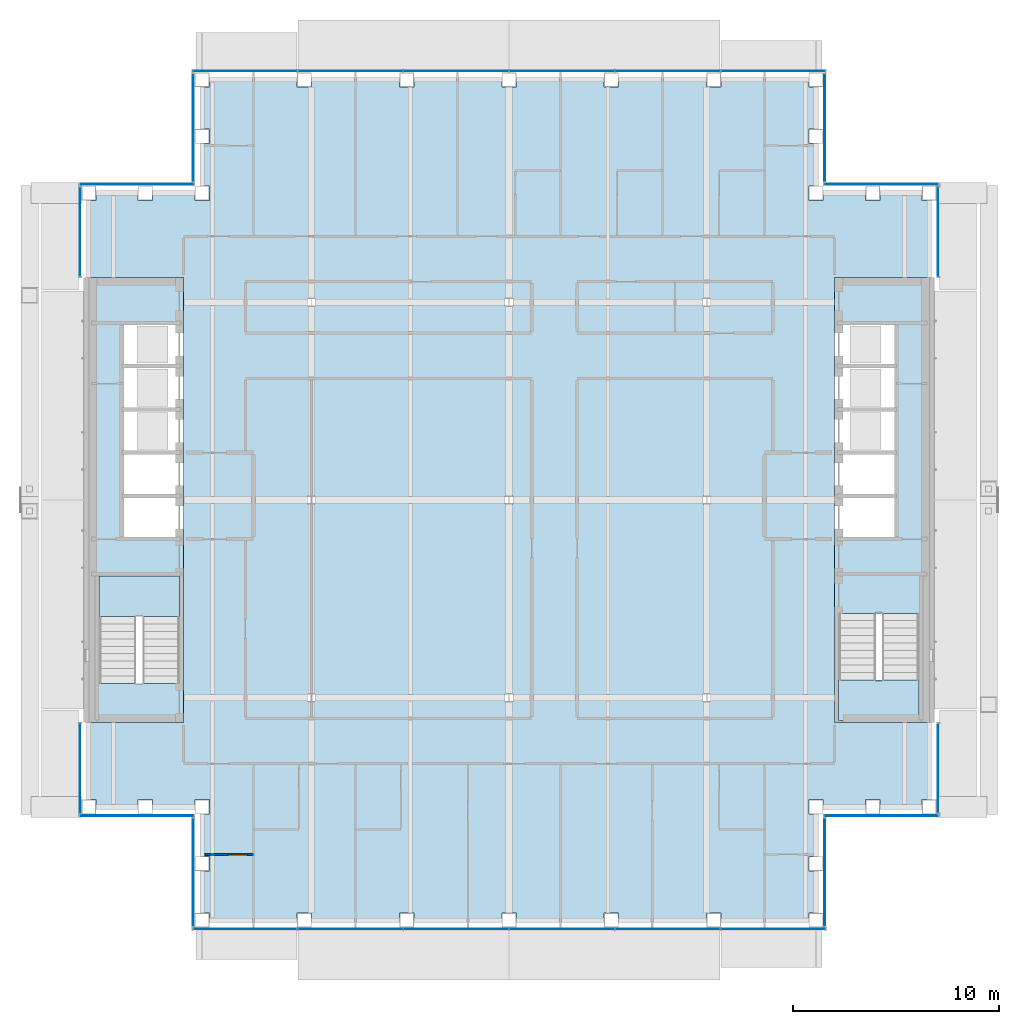
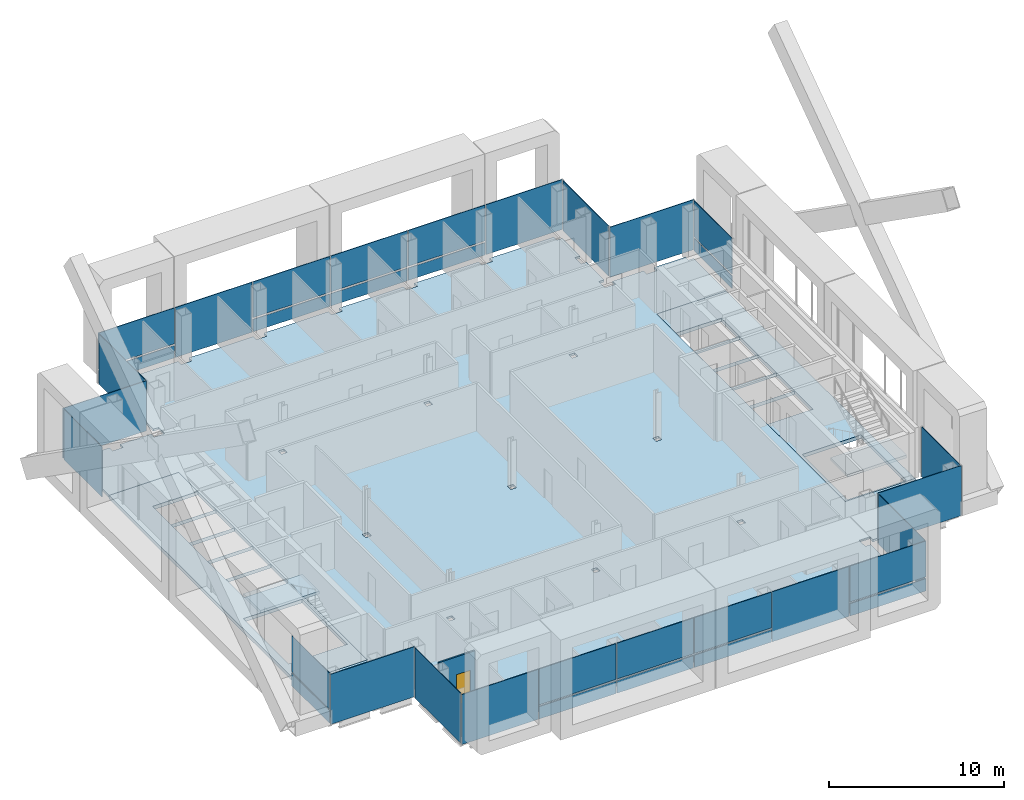
# One storey, part 10 of 21: 34 plates, 5 slabs, 1 door, 1 wall, 1 opening, 16 elements without a shape of their own.
"""IFC4 building model written with IfcOpenShell, lengths in metres."""

from ifc_helpers import new_model, si_unit, direction, frame, frame_2d, origin, origin_2d, place, context, subcontext, project, spatial, polyline, rectangle, outline, extrude, material, layer, layer_set, type_object, element, fill, aggregate, save


model = new_model("IFC4")

# Units and contexts
model_context = context("Model", 3, precision=1e-05, world=origin(), true_north=direction((0.0, 1.0)))
body_context = subcontext(model_context, "Body", "Model", "MODEL_VIEW")
ifc_project = project(units=[si_unit("LENGTHUNIT", "METRE"), si_unit("AREAUNIT", "SQUARE_METRE"), si_unit("VOLUMEUNIT", "CUBIC_METRE"), si_unit("PLANEANGLEUNIT", "RADIAN"), si_unit("MASSUNIT", "GRAM", prefix="KILO")], contexts=[model_context])

# Site, building, storey
site_placement = place(None, origin())
site = spatial("IfcSite", under=ifc_project, at=site_placement, CompositionType="ELEMENT")
building_placement = place(site_placement, origin())
building = spatial("IfcBuilding", under=site, at=building_placement, Name="Cobrizo Arcos Hotel Tower", CompositionType="ELEMENT")
storey_placement = place(building_placement, frame((0.0, 0.0, 212.0)))
storey = spatial("IfcBuildingStorey", under=building, at=storey_placement, Name="L55", CompositionType="ELEMENT", Elevation=212.0)

# Curtain wall, plates
ifc_material_1 = material(Name="Aluminium 6063-T6 anodised bronze", Category="aluminium")
curtain_wall_type = type_object("IfcCurtainWallType", Name="CW-A guest facade", PredefinedType="NOTDEFINED", material=ifc_material_1)
curtain_wall_1_placement = place(storey_placement, origin())
curtain_wall_1 = element("IfcCurtainWall", 1, at=curtain_wall_1_placement, inside=storey, type_object=curtain_wall_type, Name="CW-A L55 S face", PredefinedType="NOTDEFINED")
ifc_material_2 = material(Name="Glass clear laminated low-e", Category="glass")
ifc_layer_1 = layer(ifc_material_2, 0.0400390625)
ifc_layer_set_1 = layer_set([ifc_layer_1], Name="CW-A glass panel")
plate_type_1 = type_object("IfcPlateType", Name="CW-A glass panel", PredefinedType="CURTAIN_PANEL", material=ifc_layer_set_1)
plate_1_placement = place(storey_placement, frame((-7.699951171875, -20.824951171875, 0.990234375), z_axis=(0.0, 0.0, 1.0), x_axis=(1.0, 0.0, 0.0)))
plate_1 = element("IfcPlate", 2, at=plate_1_placement, type_object=plate_type_1, Name="CW-A glass panel 1841", PredefinedType="CURTAIN_PANEL", context=body_context, shape_type="SweptSolid", body=[
    extrude(rectangle(XDim=5.0732421875, YDim=0.0400390625, at=origin_2d()), origin(), (0.0, 0.0, 1.0), 2.510009765625),
])
plate_2_placement = place(storey_placement, frame((-2.566650390625, -20.824951171875, 0.990234375), z_axis=(0.0, 0.0, 1.0), x_axis=(1.0, 0.0, 0.0)))
plate_2 = element("IfcPlate", 3, at=plate_2_placement, type_object=plate_type_1, Name="CW-A glass panel 1842", PredefinedType="CURTAIN_PANEL", context=body_context, shape_type="SweptSolid", body=[
    extrude(rectangle(XDim=5.0732421875, YDim=0.0400390625, at=origin_2d()), origin(), (0.0, 0.0, 1.0), 2.510009765625),
])
plate_3_placement = place(storey_placement, frame((2.566650390625, -20.824951171875, 0.990234375), z_axis=(0.0, 0.0, 1.0), x_axis=(1.0, 0.0, 0.0)))
plate_3 = element("IfcPlate", 4, at=plate_3_placement, type_object=plate_type_1, Name="CW-A glass panel 1843", PredefinedType="CURTAIN_PANEL", context=body_context, shape_type="SweptSolid", body=[
    extrude(rectangle(XDim=5.0732421875, YDim=0.0400390625, at=origin_2d()), origin(), (0.0, 0.0, 1.0), 2.510009765625),
])
plate_4_placement = place(storey_placement, frame((12.818359375, -20.824951171875, 0.990234375), z_axis=(0.0, 0.0, 1.0), x_axis=(1.0, 0.0, 0.0)))
plate_4 = element("IfcPlate", 5, at=plate_4_placement, type_object=plate_type_1, Name="CW-A glass panel 1845", PredefinedType="CURTAIN_PANEL", context=body_context, shape_type="SweptSolid", body=[
    extrude(rectangle(XDim=5.043212890625, YDim=0.0400390625, at=origin_2d()), origin(), (0.0, 0.0, 1.0), 2.510009765625),
])

# Curtain wall, plate
curtain_wall_2_placement = place(storey_placement, origin())
curtain_wall_2 = element("IfcCurtainWall", 6, at=curtain_wall_2_placement, inside=storey, type_object=curtain_wall_type, Name="CW-A L55 E face", PredefinedType="NOTDEFINED")
plate_5_placement = place(storey_placement, frame((20.824951171875, 13.02490234375, 0.990234375), z_axis=(0.0, 0.0, 1.0), x_axis=(0.0, 1.0, 0.0)))
plate_5 = element("IfcPlate", 7, at=plate_5_placement, type_object=plate_type_1, Name="CW-A glass panel 1849", PredefinedType="CURTAIN_PANEL", context=body_context, shape_type="SweptSolid", body=[
    extrude(rectangle(XDim=4.330078125, YDim=0.0400390625, at=origin_2d()), origin(), (0.0, 0.0, 1.0), 2.510009765625),
])

# Curtain wall, plates
curtain_wall_3_placement = place(storey_placement, origin())
curtain_wall_3 = element("IfcCurtainWall", 8, at=curtain_wall_3_placement, inside=storey, type_object=curtain_wall_type, Name="CW-A L55 N face", PredefinedType="NOTDEFINED")
plate_6_placement = place(storey_placement, frame((7.699951171875, 20.824951171875, 0.990234375), z_axis=(0.0, 0.0, 1.0), x_axis=(-1.0, 0.0, 0.0)))
plate_6 = element("IfcPlate", 9, at=plate_6_placement, type_object=plate_type_1, Name="CW-A glass panel 1853", PredefinedType="CURTAIN_PANEL", context=body_context, shape_type="SweptSolid", body=[
    extrude(rectangle(XDim=5.0732421875, YDim=0.0400390625, at=origin_2d()), origin(), (0.0, 0.0, 1.0), 2.510009765625),
])
plate_7_placement = place(storey_placement, frame((2.566650390625, 20.824951171875, 0.990234375), z_axis=(0.0, 0.0, 1.0), x_axis=(-1.0, 0.0, 0.0)))
plate_7 = element("IfcPlate", 10, at=plate_7_placement, type_object=plate_type_1, Name="CW-A glass panel 1854", PredefinedType="CURTAIN_PANEL", context=body_context, shape_type="SweptSolid", body=[
    extrude(rectangle(XDim=5.0732421875, YDim=0.0400390625, at=origin_2d()), origin(), (0.0, 0.0, 1.0), 2.510009765625),
])
plate_8_placement = place(storey_placement, frame((-2.566650390625, 20.824951171875, 0.990234375), z_axis=(0.0, 0.0, 1.0), x_axis=(-1.0, 0.0, 0.0)))
plate_8 = element("IfcPlate", 11, at=plate_8_placement, type_object=plate_type_1, Name="CW-A glass panel 1855", PredefinedType="CURTAIN_PANEL", context=body_context, shape_type="SweptSolid", body=[
    extrude(rectangle(XDim=5.0732421875, YDim=0.0400390625, at=origin_2d()), origin(), (0.0, 0.0, 1.0), 2.510009765625),
])
plate_9_placement = place(storey_placement, frame((-12.818359375, 20.824951171875, 0.990234375), z_axis=(0.0, 0.0, 1.0), x_axis=(-1.0, 0.0, 0.0)))
plate_9 = element("IfcPlate", 12, at=plate_9_placement, type_object=plate_type_1, Name="CW-A glass panel 1857", PredefinedType="CURTAIN_PANEL", context=body_context, shape_type="SweptSolid", body=[
    extrude(rectangle(XDim=5.043212890625, YDim=0.0400390625, at=origin_2d()), origin(), (0.0, 0.0, 1.0), 2.510009765625),
])

# Curtain wall, plate
curtain_wall_4_placement = place(storey_placement, origin())
curtain_wall_4 = element("IfcCurtainWall", 13, at=curtain_wall_4_placement, inside=storey, type_object=curtain_wall_type, Name="CW-A L55 W face", PredefinedType="NOTDEFINED")
plate_10_placement = place(storey_placement, frame((-20.824951171875, -13.02490234375, 0.990234375), z_axis=(0.0, 0.0, 1.0), x_axis=(0.0, -1.0, 0.0)))
plate_10 = element("IfcPlate", 14, at=plate_10_placement, type_object=plate_type_1, Name="CW-A glass panel 1861", PredefinedType="CURTAIN_PANEL", context=body_context, shape_type="SweptSolid", body=[
    extrude(rectangle(XDim=4.330078125, YDim=0.0400390625, at=origin_2d()), origin(), (0.0, 0.0, 1.0), 2.510009765625),
])

# Plate
ifc_material_3 = material(Name="Aluminium composite panel pale metal", Category="aluminium")
ifc_layer_2 = layer(ifc_material_3, 0.0400390625)
ifc_layer_set_2 = layer_set([ifc_layer_2], Name="CW-A spandrel panel")
plate_type_2 = type_object("IfcPlateType", Name="CW-A spandrel panel", PredefinedType="CURTAIN_PANEL", material=ifc_layer_set_2)
plate_11_placement = place(storey_placement, frame((-12.818359375, -20.824951171875, 0.0), z_axis=(0.0, 0.0, 1.0), x_axis=(1.0, 0.0, 0.0)))
plate_11 = element("IfcPlate", 15, at=plate_11_placement, type_object=plate_type_2, Name="CW-A spandrel panel 1840", PredefinedType="CURTAIN_PANEL", context=body_context, shape_type="SweptSolid", body=[
    extrude(rectangle(XDim=5.043212890625, YDim=0.0400390625, at=origin_2d()), origin(), (0.0, 0.0, 1.0), 3.5),
])

plate_12_placement = place(storey_placement, frame((-7.699951171875, -20.824951171875, 0.0), z_axis=(0.0, 0.0, 1.0), x_axis=(1.0, 0.0, 0.0)))
plate_12 = element("IfcPlate", 16, at=plate_12_placement, type_object=plate_type_2, Name="CW-A spandrel panel 1841", PredefinedType="CURTAIN_PANEL", context=body_context, shape_type="SweptSolid", body=[
    extrude(rectangle(XDim=5.0732421875, YDim=0.0400390625, at=origin_2d()), origin(), (0.0, 0.0, 1.0), 0.8701171875),
])

plate_13_placement = place(storey_placement, frame((-2.566650390625, -20.824951171875, 0.0), z_axis=(0.0, 0.0, 1.0), x_axis=(1.0, 0.0, 0.0)))
plate_13 = element("IfcPlate", 17, at=plate_13_placement, type_object=plate_type_2, Name="CW-A spandrel panel 1842", PredefinedType="CURTAIN_PANEL", context=body_context, shape_type="SweptSolid", body=[
    extrude(rectangle(XDim=5.0732421875, YDim=0.0400390625, at=origin_2d()), origin(), (0.0, 0.0, 1.0), 0.8701171875),
])

plate_14_placement = place(storey_placement, frame((2.566650390625, -20.824951171875, 0.0), z_axis=(0.0, 0.0, 1.0), x_axis=(1.0, 0.0, 0.0)))
plate_14 = element("IfcPlate", 18, at=plate_14_placement, type_object=plate_type_2, Name="CW-A spandrel panel 1843", PredefinedType="CURTAIN_PANEL", context=body_context, shape_type="SweptSolid", body=[
    extrude(rectangle(XDim=5.0732421875, YDim=0.0400390625, at=origin_2d()), origin(), (0.0, 0.0, 1.0), 0.8701171875),
])

plate_15_placement = place(storey_placement, frame((7.699951171875, -20.824951171875, 0.0), z_axis=(0.0, 0.0, 1.0), x_axis=(1.0, 0.0, 0.0)))
plate_15 = element("IfcPlate", 19, at=plate_15_placement, type_object=plate_type_2, Name="CW-A spandrel panel 1844", PredefinedType="CURTAIN_PANEL", context=body_context, shape_type="SweptSolid", body=[
    extrude(rectangle(XDim=5.0732421875, YDim=0.0400390625, at=origin_2d()), origin(), (0.0, 0.0, 1.0), 3.5),
])

plate_16_placement = place(storey_placement, frame((12.818359375, -20.824951171875, 0.0), z_axis=(0.0, 0.0, 1.0), x_axis=(1.0, 0.0, 0.0)))
plate_16 = element("IfcPlate", 20, at=plate_16_placement, type_object=plate_type_2, Name="CW-A spandrel panel 1845", PredefinedType="CURTAIN_PANEL", context=body_context, shape_type="SweptSolid", body=[
    extrude(rectangle(XDim=5.043212890625, YDim=0.0400390625, at=origin_2d()), origin(), (0.0, 0.0, 1.0), 0.8701171875),
])

aggregate(curtain_wall_1, [plate_11, plate_12, plate_1, plate_13, plate_2, plate_14, plate_3, plate_15, plate_16, plate_4])

# Curtain wall, plate
curtain_wall_5_placement = place(storey_placement, origin())
curtain_wall_5 = element("IfcCurtainWall", 21, at=curtain_wall_5_placement, inside=storey, type_object=curtain_wall_type, Name="CW-A L55 E face", PredefinedType="NOTDEFINED")
plate_17_placement = place(storey_placement, frame((15.324951171875, -18.074951171875, 0.0), z_axis=(0.0, 0.0, 1.0), x_axis=(0.0, 1.0, 0.0)))
plate_17 = element("IfcPlate", 22, at=plate_17_placement, type_object=plate_type_2, Name="CW-A spandrel panel 1846", PredefinedType="CURTAIN_PANEL", context=body_context, shape_type="SweptSolid", body=[
    extrude(rectangle(XDim=5.22998046875, YDim=0.0400390625, at=origin_2d()), origin(), (0.0, 0.0, 1.0), 3.5),
])
aggregate(curtain_wall_5, [plate_17])

curtain_wall_6_placement = place(storey_placement, origin())
curtain_wall_6 = element("IfcCurtainWall", 23, at=curtain_wall_6_placement, inside=storey, type_object=curtain_wall_type, Name="CW-A L55 S face", PredefinedType="NOTDEFINED")
plate_18_placement = place(storey_placement, frame((18.074951171875, -15.324951171875, 0.0), z_axis=(0.0, 0.0, 1.0), x_axis=(1.0, 0.0, 0.0)))
plate_18 = element("IfcPlate", 24, at=plate_18_placement, type_object=plate_type_2, Name="CW-A spandrel panel 1847", PredefinedType="CURTAIN_PANEL", context=body_context, shape_type="SweptSolid", body=[
    extrude(rectangle(XDim=5.530029296875, YDim=0.0400390625, at=origin_2d()), origin(), (0.0, 0.0, 1.0), 3.5),
])
aggregate(curtain_wall_6, [plate_18])

curtain_wall_7_placement = place(storey_placement, origin())
curtain_wall_7 = element("IfcCurtainWall", 25, at=curtain_wall_7_placement, inside=storey, type_object=curtain_wall_type, Name="CW-A L55 E face", PredefinedType="NOTDEFINED")
plate_19_placement = place(storey_placement, frame((20.824951171875, -13.02490234375, 0.0), z_axis=(0.0, 0.0, 1.0), x_axis=(0.0, 1.0, 0.0)))
plate_19 = element("IfcPlate", 26, at=plate_19_placement, type_object=plate_type_2, Name="CW-A spandrel panel 1848", PredefinedType="CURTAIN_PANEL", context=body_context, shape_type="SweptSolid", body=[
    extrude(rectangle(XDim=4.330078125, YDim=0.0400390625, at=origin_2d()), origin(), (0.0, 0.0, 1.0), 3.5),
])
aggregate(curtain_wall_7, [plate_19])

# Plate
plate_20_placement = place(storey_placement, frame((20.824951171875, 13.02490234375, 0.0), z_axis=(0.0, 0.0, 1.0), x_axis=(0.0, 1.0, 0.0)))
plate_20 = element("IfcPlate", 27, at=plate_20_placement, type_object=plate_type_2, Name="CW-A spandrel panel 1849", PredefinedType="CURTAIN_PANEL", context=body_context, shape_type="SweptSolid", body=[
    extrude(rectangle(XDim=4.330078125, YDim=0.0400390625, at=origin_2d()), origin(), (0.0, 0.0, 1.0), 0.8701171875),
])

aggregate(curtain_wall_2, [plate_20, plate_5])

# Curtain wall, plate
curtain_wall_8_placement = place(storey_placement, origin())
curtain_wall_8 = element("IfcCurtainWall", 28, at=curtain_wall_8_placement, inside=storey, type_object=curtain_wall_type, Name="CW-A L55 N face", PredefinedType="NOTDEFINED")
plate_21_placement = place(storey_placement, frame((18.074951171875, 15.324951171875, 0.0), z_axis=(0.0, 0.0, 1.0), x_axis=(-1.0, 0.0, 0.0)))
plate_21 = element("IfcPlate", 29, at=plate_21_placement, type_object=plate_type_2, Name="CW-A spandrel panel 1850", PredefinedType="CURTAIN_PANEL", context=body_context, shape_type="SweptSolid", body=[
    extrude(rectangle(XDim=5.530029296875, YDim=0.0400390625, at=origin_2d()), origin(), (0.0, 0.0, 1.0), 3.5),
])
aggregate(curtain_wall_8, [plate_21])

curtain_wall_9_placement = place(storey_placement, origin())
curtain_wall_9 = element("IfcCurtainWall", 30, at=curtain_wall_9_placement, inside=storey, type_object=curtain_wall_type, Name="CW-A L55 E face", PredefinedType="NOTDEFINED")
plate_22_placement = place(storey_placement, frame((15.324951171875, 18.074951171875, 0.0), z_axis=(0.0, 0.0, 1.0), x_axis=(0.0, 1.0, 0.0)))
plate_22 = element("IfcPlate", 31, at=plate_22_placement, type_object=plate_type_2, Name="CW-A spandrel panel 1851", PredefinedType="CURTAIN_PANEL", context=body_context, shape_type="SweptSolid", body=[
    extrude(rectangle(XDim=5.22998046875, YDim=0.0400390625, at=origin_2d()), origin(), (0.0, 0.0, 1.0), 3.5),
])
aggregate(curtain_wall_9, [plate_22])

# Plate
plate_23_placement = place(storey_placement, frame((12.818359375, 20.824951171875, 0.0), z_axis=(0.0, 0.0, 1.0), x_axis=(-1.0, 0.0, 0.0)))
plate_23 = element("IfcPlate", 32, at=plate_23_placement, type_object=plate_type_2, Name="CW-A spandrel panel 1852", PredefinedType="CURTAIN_PANEL", context=body_context, shape_type="SweptSolid", body=[
    extrude(rectangle(XDim=5.043212890625, YDim=0.0400390625, at=origin_2d()), origin(), (0.0, 0.0, 1.0), 3.5),
])

plate_24_placement = place(storey_placement, frame((7.699951171875, 20.824951171875, 0.0), z_axis=(0.0, 0.0, 1.0), x_axis=(-1.0, 0.0, 0.0)))
plate_24 = element("IfcPlate", 33, at=plate_24_placement, type_object=plate_type_2, Name="CW-A spandrel panel 1853", PredefinedType="CURTAIN_PANEL", context=body_context, shape_type="SweptSolid", body=[
    extrude(rectangle(XDim=5.0732421875, YDim=0.0400390625, at=origin_2d()), origin(), (0.0, 0.0, 1.0), 0.8701171875),
])

plate_25_placement = place(storey_placement, frame((2.566650390625, 20.824951171875, 0.0), z_axis=(0.0, 0.0, 1.0), x_axis=(-1.0, 0.0, 0.0)))
plate_25 = element("IfcPlate", 34, at=plate_25_placement, type_object=plate_type_2, Name="CW-A spandrel panel 1854", PredefinedType="CURTAIN_PANEL", context=body_context, shape_type="SweptSolid", body=[
    extrude(rectangle(XDim=5.0732421875, YDim=0.0400390625, at=origin_2d()), origin(), (0.0, 0.0, 1.0), 0.8701171875),
])

plate_26_placement = place(storey_placement, frame((-2.566650390625, 20.824951171875, 0.0), z_axis=(0.0, 0.0, 1.0), x_axis=(-1.0, 0.0, 0.0)))
plate_26 = element("IfcPlate", 35, at=plate_26_placement, type_object=plate_type_2, Name="CW-A spandrel panel 1855", PredefinedType="CURTAIN_PANEL", context=body_context, shape_type="SweptSolid", body=[
    extrude(rectangle(XDim=5.0732421875, YDim=0.0400390625, at=origin_2d()), origin(), (0.0, 0.0, 1.0), 0.8701171875),
])

plate_27_placement = place(storey_placement, frame((-7.699951171875, 20.824951171875, 0.0), z_axis=(0.0, 0.0, 1.0), x_axis=(-1.0, 0.0, 0.0)))
plate_27 = element("IfcPlate", 36, at=plate_27_placement, type_object=plate_type_2, Name="CW-A spandrel panel 1856", PredefinedType="CURTAIN_PANEL", context=body_context, shape_type="SweptSolid", body=[
    extrude(rectangle(XDim=5.0732421875, YDim=0.0400390625, at=origin_2d()), origin(), (0.0, 0.0, 1.0), 3.5),
])

plate_28_placement = place(storey_placement, frame((-12.818359375, 20.824951171875, 0.0), z_axis=(0.0, 0.0, 1.0), x_axis=(-1.0, 0.0, 0.0)))
plate_28 = element("IfcPlate", 37, at=plate_28_placement, type_object=plate_type_2, Name="CW-A spandrel panel 1857", PredefinedType="CURTAIN_PANEL", context=body_context, shape_type="SweptSolid", body=[
    extrude(rectangle(XDim=5.043212890625, YDim=0.0400390625, at=origin_2d()), origin(), (0.0, 0.0, 1.0), 0.8701171875),
])

aggregate(curtain_wall_3, [plate_23, plate_24, plate_6, plate_25, plate_7, plate_26, plate_8, plate_27, plate_28, plate_9])

# Curtain wall, plate
curtain_wall_10_placement = place(storey_placement, origin())
curtain_wall_10 = element("IfcCurtainWall", 38, at=curtain_wall_10_placement, inside=storey, type_object=curtain_wall_type, Name="CW-A L55 W face", PredefinedType="NOTDEFINED")
plate_29_placement = place(storey_placement, frame((-15.324951171875, 18.074951171875, 0.0), z_axis=(0.0, 0.0, 1.0), x_axis=(0.0, -1.0, 0.0)))
plate_29 = element("IfcPlate", 39, at=plate_29_placement, type_object=plate_type_2, Name="CW-A spandrel panel 1858", PredefinedType="CURTAIN_PANEL", context=body_context, shape_type="SweptSolid", body=[
    extrude(rectangle(XDim=5.22998046875, YDim=0.0400390625, at=origin_2d()), origin(), (0.0, 0.0, 1.0), 3.5),
])
aggregate(curtain_wall_10, [plate_29])

curtain_wall_11_placement = place(storey_placement, origin())
curtain_wall_11 = element("IfcCurtainWall", 40, at=curtain_wall_11_placement, inside=storey, type_object=curtain_wall_type, Name="CW-A L55 N face", PredefinedType="NOTDEFINED")
plate_30_placement = place(storey_placement, frame((-18.074951171875, 15.324951171875, 0.0), z_axis=(0.0, 0.0, 1.0), x_axis=(-1.0, 0.0, 0.0)))
plate_30 = element("IfcPlate", 41, at=plate_30_placement, type_object=plate_type_2, Name="CW-A spandrel panel 1859", PredefinedType="CURTAIN_PANEL", context=body_context, shape_type="SweptSolid", body=[
    extrude(rectangle(XDim=5.530029296875, YDim=0.0400390625, at=origin_2d()), origin(), (0.0, 0.0, 1.0), 3.5),
])
aggregate(curtain_wall_11, [plate_30])

curtain_wall_12_placement = place(storey_placement, origin())
curtain_wall_12 = element("IfcCurtainWall", 42, at=curtain_wall_12_placement, inside=storey, type_object=curtain_wall_type, Name="CW-A L55 W face", PredefinedType="NOTDEFINED")
plate_31_placement = place(storey_placement, frame((-20.824951171875, 13.02490234375, 0.0), z_axis=(0.0, 0.0, 1.0), x_axis=(0.0, -1.0, 0.0)))
plate_31 = element("IfcPlate", 43, at=plate_31_placement, type_object=plate_type_2, Name="CW-A spandrel panel 1860", PredefinedType="CURTAIN_PANEL", context=body_context, shape_type="SweptSolid", body=[
    extrude(rectangle(XDim=4.330078125, YDim=0.0400390625, at=origin_2d()), origin(), (0.0, 0.0, 1.0), 3.5),
])
aggregate(curtain_wall_12, [plate_31])

# Plate
plate_32_placement = place(storey_placement, frame((-20.824951171875, -13.02490234375, 0.0), z_axis=(0.0, 0.0, 1.0), x_axis=(0.0, -1.0, 0.0)))
plate_32 = element("IfcPlate", 44, at=plate_32_placement, type_object=plate_type_2, Name="CW-A spandrel panel 1861", PredefinedType="CURTAIN_PANEL", context=body_context, shape_type="SweptSolid", body=[
    extrude(rectangle(XDim=4.330078125, YDim=0.0400390625, at=origin_2d()), origin(), (0.0, 0.0, 1.0), 0.8701171875),
])

aggregate(curtain_wall_4, [plate_32, plate_10])

# Curtain wall, plate
curtain_wall_13_placement = place(storey_placement, origin())
curtain_wall_13 = element("IfcCurtainWall", 45, at=curtain_wall_13_placement, inside=storey, type_object=curtain_wall_type, Name="CW-A L55 S face", PredefinedType="NOTDEFINED")
plate_33_placement = place(storey_placement, frame((-18.074951171875, -15.324951171875, 0.0), z_axis=(0.0, 0.0, 1.0), x_axis=(1.0, 0.0, 0.0)))
plate_33 = element("IfcPlate", 46, at=plate_33_placement, type_object=plate_type_2, Name="CW-A spandrel panel 1862", PredefinedType="CURTAIN_PANEL", context=body_context, shape_type="SweptSolid", body=[
    extrude(rectangle(XDim=5.530029296875, YDim=0.0400390625, at=origin_2d()), origin(), (0.0, 0.0, 1.0), 3.5),
])
aggregate(curtain_wall_13, [plate_33])

curtain_wall_14_placement = place(storey_placement, origin())
curtain_wall_14 = element("IfcCurtainWall", 47, at=curtain_wall_14_placement, inside=storey, type_object=curtain_wall_type, Name="CW-A L55 W face", PredefinedType="NOTDEFINED")
plate_34_placement = place(storey_placement, frame((-15.324951171875, -18.074951171875, 0.0), z_axis=(0.0, 0.0, 1.0), x_axis=(0.0, -1.0, 0.0)))
plate_34 = element("IfcPlate", 48, at=plate_34_placement, type_object=plate_type_2, Name="CW-A spandrel panel 1863", PredefinedType="CURTAIN_PANEL", context=body_context, shape_type="SweptSolid", body=[
    extrude(rectangle(XDim=5.22998046875, YDim=0.0400390625, at=origin_2d()), origin(), (0.0, 0.0, 1.0), 3.5),
])
aggregate(curtain_wall_14, [plate_34])

# Slabs
ifc_material_4 = material(Name="Concrete f'c 35 MPa", Category="concrete")
ifc_layer_3 = layer(ifc_material_4, 0.14990234375)
ifc_layer_set_3 = layer_set([ifc_layer_3], Name="Composite floor slab 150 f'c 35")
slab_type_1 = type_object("IfcSlabType", Name="Composite floor slab 150 f'c 35", PredefinedType="FLOOR", material=ifc_layer_set_3)
slab_1_placement = place(storey_placement, frame((0.0, 0.0, -0.14990234375)))
element("IfcSlab", 49, at=slab_1_placement, inside=storey, type_object=slab_type_1, Name="Floor slab S5, L55, no. 01", PredefinedType="FLOOR", context=body_context, shape_type="SweptSolid", body=[
    extrude(outline(polyline([(-14.550048828125, -20.39990234375), (-14.550048828125, -20.050048828125), (-14.89990234375, -20.050048828125), (-14.89990234375, -18.0), (-14.550048828125, -18.0), (-14.550048828125, -17.300048828125), (-14.89990234375, -17.300048828125), (-14.89990234375, -15.25), (-14.550048828125, -15.25), (-14.550048828125, -14.550048828125), (-15.25, -14.550048828125), (-15.25, -14.89990234375), (-17.300048828125, -14.89990234375), (-17.300048828125, -14.550048828125), (-18.0, -14.550048828125), (-18.0, -14.89990234375), (-20.050048828125, -14.89990234375), (-20.050048828125, -14.550048828125), (-20.39990234375, -14.550048828125), (-20.39990234375, -10.800048828125), (-15.800048828125, -10.800048828125), (-15.800048828125, 10.800048828125), (-20.39990234375, 10.800048828125), (-20.39990234375, 14.550048828125), (-20.050048828125, 14.550048828125), (-20.050048828125, 14.89990234375), (-18.0, 14.89990234375), (-18.0, 14.550048828125), (-17.300048828125, 14.550048828125), (-17.300048828125, 14.89990234375), (-15.25, 14.89990234375), (-15.25, 14.550048828125), (-14.550048828125, 14.550048828125), (-14.550048828125, 15.25), (-14.89990234375, 15.25), (-14.89990234375, 17.300048828125), (-14.550048828125, 17.300048828125), (-14.550048828125, 18.0), (-14.89990234375, 18.0), (-14.89990234375, 20.050048828125), (-14.550048828125, 20.050048828125), (-14.550048828125, 20.39990234375), (-10.282958984375, 20.39990234375), (-10.282958984375, 20.050048828125), (-9.5830078125, 20.050048828125), (-9.5830078125, 20.39990234375), (-5.31689453125, 20.39990234375), (-5.31689453125, 20.050048828125), (-4.616943359375, 20.050048828125), (-4.616943359375, 20.39990234375), (-0.35009765625, 20.39990234375), (-0.35009765625, 20.050048828125), (0.35009765625, 20.050048828125), (0.35009765625, 20.39990234375), (4.616943359375, 20.39990234375), (4.616943359375, 20.050048828125), (5.31689453125, 20.050048828125), (5.31689453125, 20.39990234375), (9.5830078125, 20.39990234375), (9.5830078125, 20.050048828125), (10.282958984375, 20.050048828125), (10.282958984375, 20.39990234375), (14.550048828125, 20.39990234375), (14.550048828125, 20.050048828125), (14.89990234375, 20.050048828125), (14.89990234375, 18.0), (14.550048828125, 18.0), (14.550048828125, 17.300048828125), (14.89990234375, 17.300048828125), (14.89990234375, 15.25), (14.550048828125, 15.25), (14.550048828125, 14.550048828125), (15.25, 14.550048828125), (15.25, 14.89990234375), (17.300048828125, 14.89990234375), (17.300048828125, 14.550048828125), (18.0, 14.550048828125), (18.0, 14.89990234375), (20.050048828125, 14.89990234375), (20.050048828125, 14.550048828125), (20.39990234375, 14.550048828125), (20.39990234375, 10.800048828125), (15.800048828125, 10.800048828125), (15.800048828125, -10.800048828125), (20.39990234375, -10.800048828125), (20.39990234375, -14.550048828125), (20.050048828125, -14.550048828125), (20.050048828125, -14.89990234375), (18.0, -14.89990234375), (18.0, -14.550048828125), (17.300048828125, -14.550048828125), (17.300048828125, -14.89990234375), (15.25, -14.89990234375), (15.25, -14.550048828125), (14.550048828125, -14.550048828125), (14.550048828125, -15.25), (14.89990234375, -15.25), (14.89990234375, -17.300048828125), (14.550048828125, -17.300048828125), (14.550048828125, -18.0), (14.89990234375, -18.0), (14.89990234375, -20.050048828125), (14.550048828125, -20.050048828125), (14.550048828125, -20.39990234375), (10.282958984375, -20.39990234375), (10.282958984375, -20.050048828125), (9.5830078125, -20.050048828125), (9.5830078125, -20.39990234375), (5.31689453125, -20.39990234375), (5.31689453125, -20.050048828125), (4.616943359375, -20.050048828125), (4.616943359375, -20.39990234375), (0.35009765625, -20.39990234375), (0.35009765625, -20.050048828125), (-0.35009765625, -20.050048828125), (-0.35009765625, -20.39990234375), (-4.616943359375, -20.39990234375), (-4.616943359375, -20.050048828125), (-5.31689453125, -20.050048828125), (-5.31689453125, -20.39990234375), (-9.5830078125, -20.39990234375), (-9.5830078125, -20.050048828125), (-10.282958984375, -20.050048828125), (-10.282958984375, -20.39990234375), (-14.550048828125, -20.39990234375)]), holes=[polyline([(-9.413330078125, -9.78662109375), (-9.413330078125, -9.413330078125), (-9.78662109375, -9.413330078125), (-9.78662109375, -9.78662109375), (-9.413330078125, -9.78662109375)]), polyline([(0.186767578125, -9.78662109375), (0.186767578125, -9.413330078125), (-0.186767578125, -9.413330078125), (-0.186767578125, -9.78662109375), (0.186767578125, -9.78662109375)]), polyline([(9.413330078125, -9.78662109375), (9.78662109375, -9.78662109375), (9.78662109375, -9.413330078125), (9.413330078125, -9.413330078125), (9.413330078125, -9.78662109375)]), polyline([(-9.78662109375, -0.186767578125), (-9.413330078125, -0.186767578125), (-9.413330078125, 0.186767578125), (-9.78662109375, 0.186767578125), (-9.78662109375, -0.186767578125)]), polyline([(0.186767578125, -0.186767578125), (0.186767578125, 0.186767578125), (-0.186767578125, 0.186767578125), (-0.186767578125, -0.186767578125), (0.186767578125, -0.186767578125)]), polyline([(9.78662109375, -0.186767578125), (9.78662109375, 0.186767578125), (9.413330078125, 0.186767578125), (9.413330078125, -0.186767578125), (9.78662109375, -0.186767578125)]), polyline([(-9.413330078125, 9.413330078125), (-9.413330078125, 9.78662109375), (-9.78662109375, 9.78662109375), (-9.78662109375, 9.413330078125), (-9.413330078125, 9.413330078125)]), polyline([(-0.186767578125, 9.413330078125), (0.186767578125, 9.413330078125), (0.186767578125, 9.78662109375), (-0.186767578125, 9.78662109375), (-0.186767578125, 9.413330078125)]), polyline([(9.413330078125, 9.413330078125), (9.78662109375, 9.413330078125), (9.78662109375, 9.78662109375), (9.413330078125, 9.78662109375), (9.413330078125, 9.413330078125)])]), origin(), (0.0, 0.0, 1.0), 0.14990234375),
])
ifc_material_5 = material(Name="Concrete f'c 40 MPa", Category="concrete")
ifc_layer_4 = layer(ifc_material_5, 0.25)
ifc_layer_set_4 = layer_set([ifc_layer_4], Name="RC core floor slab 250 f'c 40")
slab_type_2 = type_object("IfcSlabType", Name="RC core floor slab 250 f'c 40", PredefinedType="FLOOR", material=ifc_layer_set_4)
slab_2_placement = place(storey_placement, frame((0.0, 0.0, -0.25)))
element("IfcSlab", 50, at=slab_2_placement, inside=storey, type_object=slab_type_2, Name="Core floor slab CS7, east core, L55", PredefinedType="FLOOR", context=body_context, shape_type="SweptSolid", body=[
    extrude(outline(polyline([(15.800048828125, 10.800048828125), (20.39990234375, 10.800048828125), (20.39990234375, -10.800048828125), (15.800048828125, -10.800048828125), (15.800048828125, 10.800048828125)]), holes=[polyline([(19.89794921875, -10.697998046875), (19.89794921875, -5.501953125), (16.001953125, -5.501953125), (16.001953125, -10.697998046875), (19.89794921875, -10.697998046875)]), polyline([(15.802001953125, 0.197998046875), (15.802001953125, -1.89794921875), (18.798095703125, -1.89794921875), (18.798095703125, 0.197998046875), (15.802001953125, 0.197998046875)]), polyline([(15.802001953125, 2.298095703125), (15.802001953125, 0.201904296875), (18.798095703125, 0.201904296875), (18.798095703125, 2.298095703125), (15.802001953125, 2.298095703125)]), polyline([(15.802001953125, 4.39794921875), (15.802001953125, 2.302001953125), (18.798095703125, 2.302001953125), (18.798095703125, 4.39794921875), (15.802001953125, 4.39794921875)]), polyline([(18.798095703125, 6.498046875), (15.802001953125, 6.498046875), (15.802001953125, 4.402099609375), (18.798095703125, 4.402099609375), (18.798095703125, 6.498046875)]), polyline([(18.798095703125, 8.597900390625), (15.802001953125, 8.597900390625), (15.802001953125, 6.501953125), (18.798095703125, 6.501953125), (18.798095703125, 8.597900390625)])]), origin(), (0.0, 0.0, 1.0), 0.25),
])
slab_3_placement = place(storey_placement, frame((0.0, 0.0, -0.25)))
element("IfcSlab", 51, at=slab_3_placement, inside=storey, type_object=slab_type_2, Name="Core floor slab CS7, west core, L55", PredefinedType="FLOOR", context=body_context, shape_type="SweptSolid", body=[
    extrude(outline(polyline([(-20.39990234375, 10.800048828125), (-15.800048828125, 10.800048828125), (-15.800048828125, -10.800048828125), (-20.39990234375, -10.800048828125), (-20.39990234375, 10.800048828125)]), holes=[polyline([(-19.89794921875, -3.701904296875), (-19.89794921875, -8.89794921875), (-16.001953125, -8.89794921875), (-16.001953125, -3.701904296875), (-19.89794921875, -3.701904296875)]), polyline([(-18.798095703125, 0.197998046875), (-18.798095703125, -1.89794921875), (-15.802001953125, -1.89794921875), (-15.802001953125, 0.197998046875), (-18.798095703125, 0.197998046875)]), polyline([(-18.798095703125, 2.298095703125), (-18.798095703125, 0.201904296875), (-15.802001953125, 0.201904296875), (-15.802001953125, 2.298095703125), (-18.798095703125, 2.298095703125)]), polyline([(-18.798095703125, 4.39794921875), (-18.798095703125, 2.302001953125), (-15.802001953125, 2.302001953125), (-15.802001953125, 4.39794921875), (-18.798095703125, 4.39794921875)]), polyline([(-15.802001953125, 6.498046875), (-18.798095703125, 6.498046875), (-18.798095703125, 4.402099609375), (-15.802001953125, 4.402099609375), (-15.802001953125, 6.498046875)]), polyline([(-15.802001953125, 8.597900390625), (-18.798095703125, 8.597900390625), (-18.798095703125, 6.501953125), (-15.802001953125, 6.501953125), (-15.802001953125, 8.597900390625)])]), origin(), (0.0, 0.0, 1.0), 0.25),
])

# Stair, slab
stair_type = type_object("IfcStairType", Name="Exit stair", PredefinedType="HALF_TURN_STAIR", material=ifc_material_5)
stair_1_placement = place(storey_placement, origin())
stair_1 = element("IfcStair", 52, at=stair_1_placement, inside=storey, type_object=stair_type, Name="L55 Exit stair ST-W", PredefinedType="HALF_TURN_STAIR")
ifc_layer_5 = layer(ifc_material_5, 0.199951171875)
ifc_layer_set_5 = layer_set([ifc_layer_5], Name="Stair landing")
slab_type_3 = type_object("IfcSlabType", Name="Stair landing", PredefinedType="LANDING", material=ifc_layer_set_5)
slab_4_placement = place(storey_placement, frame((0.0, 0.0, 1.550048828125)))
slab_4 = element("IfcSlab", 53, at=slab_4_placement, type_object=slab_type_3, Name="ST-W landing 1", PredefinedType="LANDING", context=body_context, shape_type="SweptSolid", body=[
    extrude(outline(polyline([(-16.0, -5.659912109375), (-16.0, -3.699951171875), (-19.89990234375, -3.699951171875), (-19.89990234375, -5.659912109375), (-16.0, -5.659912109375)])), origin(), (0.0, 0.0, 1.0), 0.199951171875),
])
aggregate(stair_1, [slab_4])

stair_2_placement = place(storey_placement, origin())
stair_2 = element("IfcStair", 54, at=stair_2_placement, inside=storey, type_object=stair_type, Name="L55 Exit stair ST-E", PredefinedType="HALF_TURN_STAIR")
slab_5_placement = place(storey_placement, frame((0.0, 0.0, 1.550048828125)))
slab_5 = element("IfcSlab", 55, at=slab_5_placement, type_object=slab_type_3, Name="ST-E landing 1", PredefinedType="LANDING", context=body_context, shape_type="SweptSolid", body=[
    extrude(outline(polyline([(16.0, -8.739990234375), (16.0, -10.699951171875), (19.89990234375, -10.699951171875), (19.89990234375, -8.739990234375), (16.0, -8.739990234375)])), origin(), (0.0, 0.0, 1.0), 0.199951171875),
])
aggregate(stair_2, [slab_5])

# Wall, opening, door
ifc_material_6 = material(Name="Gypsum board partition")
ifc_layer_6 = layer(ifc_material_6, 0.10009765625)
ifc_layer_set_6 = layer_set([ifc_layer_6], Name="Partition EI 30 100")
wall_type = type_object("IfcWallType", Name="Partition EI 30 100", PredefinedType="PARTITIONING", material=ifc_layer_set_6)
wall_placement = place(storey_placement, frame((-14.780029296875, -17.199951171875, 0.0), z_axis=(0.0, 0.0, 1.0), x_axis=(1.0, 0.0, 0.0)))
wall = element("IfcWall", 56, at=wall_placement, inside=storey, type_object=wall_type, Name="Partition 001", PredefinedType="PARTITIONING", context=body_context, shape_type="SweptSolid", body=[
    extrude(rectangle(XDim=2.380126953125, YDim=0.10009765625, at=frame_2d((1.18994140625, 0.0))), origin(), (0.0, 0.0, 1.0), 3.35009765625),
])
opening_placement = place(wall_placement, frame((1.16796875, 0.0, 0.0)))
opening = element("IfcOpeningElement", 57, at=opening_placement, cuts=wall, Name="Opening ED-08", PredefinedType="OPENING", context=body_context, shape_type="SweptSolid", body=[
    extrude(rectangle(XDim=0.89990234375, YDim=2.10009765625, at=frame_2d((0.449951171875, 1.050048828125))), frame((0.0, 0.06201171875, 0.0), z_axis=(0.0, -1.0, 0.0), x_axis=(1.0, 0.0, 0.0)), (0.0, 0.0, 1.0), 0.1240234375),
])
ifc_material_7 = material(Name="Timber door leaf", Category="wood")
door_type = type_object("IfcDoorType", Name="En-suite door 900x2100", OperationType="SINGLE_SWING_LEFT", PredefinedType="DOOR", material=ifc_material_7)
door_placement = place(opening_placement, origin())
door = element("IfcDoor", 58, at=door_placement, inside=storey, type_object=door_type, Name="Door ED-08", OperationType="SINGLE_SWING_RIGHT", OverallHeight=2.10009765625, OverallWidth=0.89990234375, PredefinedType="DOOR", context=body_context, shape_type="SweptSolid", body=[
    extrude(rectangle(XDim=0.89990234375, YDim=2.10009765625, at=frame_2d((0.449951171875, 1.050048828125))), frame((0.0, 0.02490234375, 0.0), z_axis=(0.0, -1.0, 0.0), x_axis=(1.0, 0.0, 0.0)), (0.0, 0.0, 1.0), 0.050048828125),
])
fill(opening, door)

save(model, "model.ifc")
